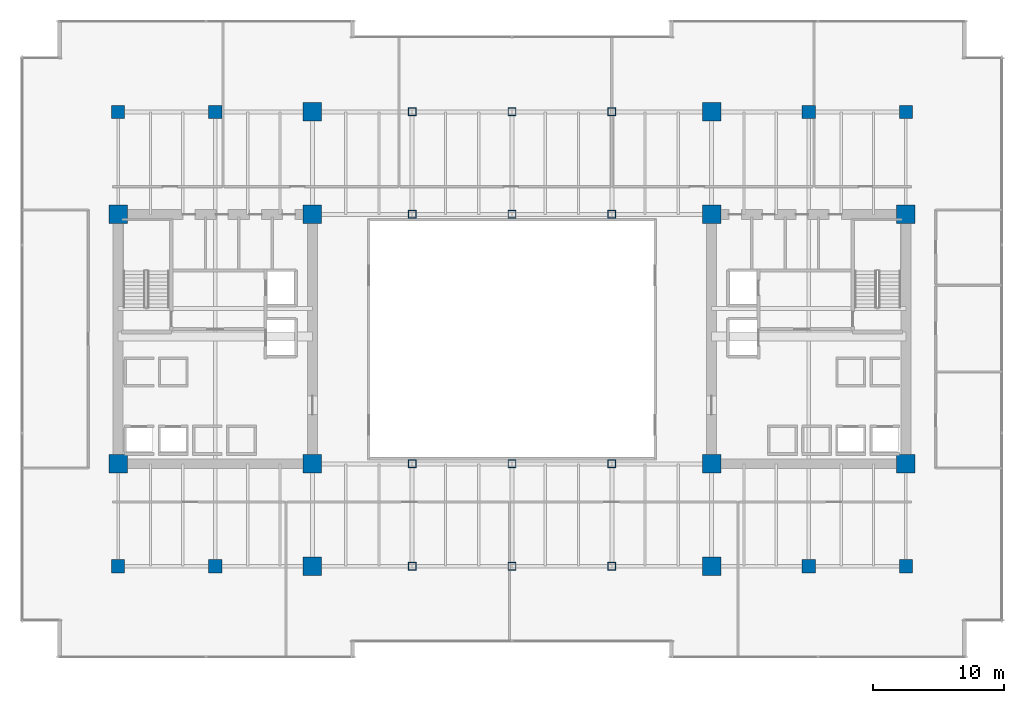
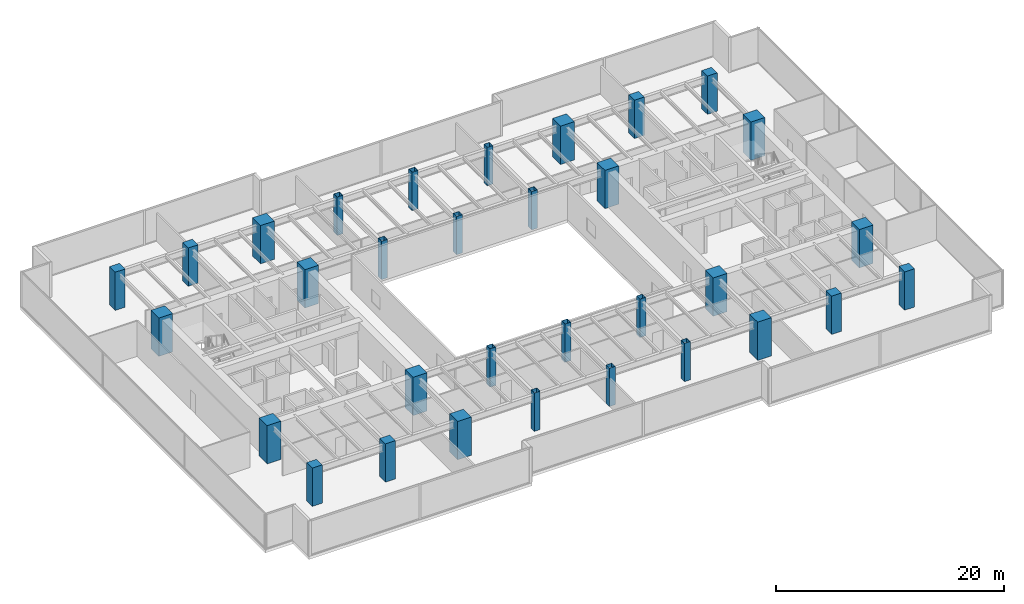
# One storey, part 1 of 35: 32 columns.
"""IFC4 building model written with IfcOpenShell, lengths in metres."""

from ifc_helpers import new_model, si_unit, direction, frame, origin, origin_2d, place, context, subcontext, project, spatial, rectangle, hollow_rectangle, extrude, source, transform, mapped, material, material_profile, profile_set, type_object, type_shapes, element, save


model = new_model("IFC4")

# Units and contexts
model_context = context("Model", 3, precision=1e-05, world=origin(), true_north=direction((0.0, 1.0)))
body_context = subcontext(model_context, "Body", "Model", "MODEL_VIEW")
ifc_project = project(units=[si_unit("LENGTHUNIT", "METRE"), si_unit("AREAUNIT", "SQUARE_METRE"), si_unit("VOLUMEUNIT", "CUBIC_METRE"), si_unit("PLANEANGLEUNIT", "RADIAN"), si_unit("MASSUNIT", "GRAM", prefix="KILO")], contexts=[model_context])

# Site, building, storey
site_placement = place(None, origin())
site = spatial("IfcSite", under=ifc_project, at=site_placement, CompositionType="ELEMENT")
building_placement = place(site_placement, origin())
building = spatial("IfcBuilding", under=site, at=building_placement, Name="Haelvirn Gate Laboratories", CompositionType="ELEMENT")
storey_placement = place(building_placement, frame((0.0, 0.0, 66.199951171875)))
storey = spatial("IfcBuildingStorey", under=building, at=storey_placement, Name="L16", CompositionType="ELEMENT", Elevation=66.199951171875)

# Columns
ifc_material_1 = material(Name="Concrete C60/75", Category="concrete")
ifc_material_profile_1 = material_profile(ifc_material_1, rectangle(XDim=1.0, YDim=1.0, at=origin_2d()), Name="RC-1000x1000")
ifc_profile_set_1 = profile_set([ifc_material_profile_1], Name="Concrete C60/75")
column_type_1 = type_object("IfcColumnType", Name="COL-RC-1000", PredefinedType="COLUMN", material=ifc_profile_set_1)
shared_shape_1 = source(origin(), body_context, "Body", "SweptSolid", [
    extrude(rectangle(XDim=1.0, YDim=1.0, at=origin_2d()), origin(), (0.0, 0.0, 1.0), 4.10009765625),
])
type_shapes(column_type_1, [shared_shape_1])
for number, where, z_axis, x_axis, name in (
    (1, (14.800048828125, 7.0, 0.0), (0.0, 0.0, 1.0), (1.0, 0.0, 0.0), "L16 Column 3B"),
    (2, (14.800048828125, 41.60009765625, 0.0), (0.0, 0.0, 1.0), (1.0, 0.0, 0.0), "L16 Column 3G"),
    (3, (60.0, 7.0, 0.0), (0.0, 0.0, 1.0), (1.0, 0.0, 0.0), "L16 Column 9B"),
    (4, (60.0, 41.60009765625, 0.0), (0.0, 0.0, 1.0), (1.0, 0.0, 0.0), "L16 Column 9G"),
    (5, (7.39990234375, 7.0, 0.0), (0.0, 0.0, 1.0), (1.0, 0.0, 0.0), "L16 Column 2B"),
    (6, (7.39990234375, 41.60009765625, 0.0), (0.0, 0.0, 1.0), (1.0, 0.0, 0.0), "L16 Column 2G"),
    (7, (67.39990234375, 7.0, 0.0), (0.0, 0.0, 1.0), (1.0, 0.0, 0.0), "L16 Column 10B"),
    (8, (67.39990234375, 41.60009765625, 0.0), (0.0, 0.0, 1.0), (1.0, 0.0, 0.0), "L16 Column 10G"),
):
    element("IfcColumn", number, at=place(storey_placement, frame(where, z_axis=z_axis, x_axis=x_axis)), inside=storey, type_object=column_type_1, Name=name, PredefinedType="COLUMN", context=body_context, shape_type="MappedRepresentation", body=[
        mapped(shared_shape_1, transform((0.0, 0.0, 0.0), scale=1.0)),
    ])
ifc_material_2 = material(Name="Concrete C70/85", Category="concrete")
ifc_material_profile_2 = material_profile(ifc_material_2, rectangle(XDim=1.39990234375, YDim=1.39990234375, at=origin_2d()), Name="SRC-1400x1400")
ifc_profile_set_2 = profile_set([ifc_material_profile_2], Name="Concrete C70/85")
column_type_2 = type_object("IfcColumnType", Name="COL-SRC-1400", PredefinedType="COLUMN", material=ifc_profile_set_2)
shared_shape_2 = source(origin(), body_context, "Body", "SweptSolid", [
    extrude(rectangle(XDim=1.39990234375, YDim=1.39990234375, at=origin_2d()), origin(), (0.0, 0.0, 1.0), 4.10009765625),
])
type_shapes(column_type_2, [shared_shape_2])
for number, where, z_axis, x_axis, name in (
    (9, (22.199951171875, 7.0, 0.0), (0.0, 0.0, 1.0), (1.0, 0.0, 0.0), "L16 Column 4B"),
    (10, (7.39990234375, 14.800048828125, 0.0), (0.0, 0.0, 1.0), (1.0, 0.0, 0.0), "L16 Column 2C"),
    (11, (22.199951171875, 14.800048828125, 0.0), (0.0, 0.0, 1.0), (1.0, 0.0, 0.0), "L16 Column 4C"),
    (12, (7.39990234375, 33.800048828125, 0.0), (0.0, 0.0, 1.0), (1.0, 0.0, 0.0), "L16 Column 2F"),
    (13, (22.199951171875, 33.800048828125, 0.0), (0.0, 0.0, 1.0), (1.0, 0.0, 0.0), "L16 Column 4F"),
    (14, (22.199951171875, 41.60009765625, 0.0), (0.0, 0.0, 1.0), (1.0, 0.0, 0.0), "L16 Column 4G"),
    (15, (52.60009765625, 7.0, 0.0), (0.0, 0.0, 1.0), (1.0, 0.0, 0.0), "L16 Column 8B"),
    (16, (52.60009765625, 14.800048828125, 0.0), (0.0, 0.0, 1.0), (1.0, 0.0, 0.0), "L16 Column 8C"),
    (17, (67.39990234375, 14.800048828125, 0.0), (0.0, 0.0, 1.0), (1.0, 0.0, 0.0), "L16 Column 10C"),
    (18, (52.60009765625, 33.800048828125, 0.0), (0.0, 0.0, 1.0), (1.0, 0.0, 0.0), "L16 Column 8F"),
    (19, (67.39990234375, 33.800048828125, 0.0), (0.0, 0.0, 1.0), (1.0, 0.0, 0.0), "L16 Column 10F"),
    (20, (52.60009765625, 41.60009765625, 0.0), (0.0, 0.0, 1.0), (1.0, 0.0, 0.0), "L16 Column 8G"),
):
    element("IfcColumn", number, at=place(storey_placement, frame(where, z_axis=z_axis, x_axis=x_axis)), inside=storey, type_object=column_type_2, Name=name, PredefinedType="COLUMN", context=body_context, shape_type="MappedRepresentation", body=[
        mapped(shared_shape_2, transform((0.0, 0.0, 0.0), scale=1.0)),
    ])
ifc_material_3 = material(Name="Steel SM420", Category="steel")
ifc_material_profile_3 = material_profile(ifc_material_3, hollow_rectangle(XDim=0.60009765625, YDim=0.60009765625, WallThickness=0.028076171875, at=origin_2d()), Name="BOX-600x600x28")
ifc_profile_set_3 = profile_set([ifc_material_profile_3], Name="Steel SM420")
column_type_3 = type_object("IfcColumnType", Name="COL-BOX-600", PredefinedType="COLUMN", material=ifc_profile_set_3)
shared_shape_3 = source(origin(), body_context, "Body", "SweptSolid", [
    extrude(hollow_rectangle(XDim=0.60009765625, YDim=0.60009765625, WallThickness=0.028076171875, at=origin_2d()), origin(), (0.0, 0.0, 1.0), 4.10009765625),
])
type_shapes(column_type_3, [shared_shape_3])
for number, where, z_axis, x_axis, name in (
    (21, (29.800048828125, 7.0, 0.0), (0.0, 0.0, 1.0), (1.0, 0.0, 0.0), "L16 Column 5B"),
    (22, (29.800048828125, 14.800048828125, 0.0), (0.0, 0.0, 1.0), (1.0, 0.0, 0.0), "L16 Column 5C"),
    (23, (29.800048828125, 33.800048828125, 0.0), (0.0, 0.0, 1.0), (1.0, 0.0, 0.0), "L16 Column 5F"),
    (24, (29.800048828125, 41.60009765625, 0.0), (0.0, 0.0, 1.0), (1.0, 0.0, 0.0), "L16 Column 5G"),
    (25, (37.39990234375, 7.0, 0.0), (0.0, 0.0, 1.0), (1.0, 0.0, 0.0), "L16 Column 6B"),
    (26, (37.39990234375, 14.800048828125, 0.0), (0.0, 0.0, 1.0), (1.0, 0.0, 0.0), "L16 Column 6C"),
    (27, (37.39990234375, 33.800048828125, 0.0), (0.0, 0.0, 1.0), (1.0, 0.0, 0.0), "L16 Column 6F"),
    (28, (37.39990234375, 41.60009765625, 0.0), (0.0, 0.0, 1.0), (1.0, 0.0, 0.0), "L16 Column 6G"),
    (29, (45.0, 7.0, 0.0), (0.0, 0.0, 1.0), (1.0, 0.0, 0.0), "L16 Column 7B"),
    (30, (45.0, 14.800048828125, 0.0), (0.0, 0.0, 1.0), (1.0, 0.0, 0.0), "L16 Column 7C"),
    (31, (45.0, 33.800048828125, 0.0), (0.0, 0.0, 1.0), (1.0, 0.0, 0.0), "L16 Column 7F"),
    (32, (45.0, 41.60009765625, 0.0), (0.0, 0.0, 1.0), (1.0, 0.0, 0.0), "L16 Column 7G"),
):
    element("IfcColumn", number, at=place(storey_placement, frame(where, z_axis=z_axis, x_axis=x_axis)), inside=storey, type_object=column_type_3, Name=name, PredefinedType="COLUMN", context=body_context, shape_type="MappedRepresentation", body=[
        mapped(shared_shape_3, transform((0.0, 0.0, 0.0), scale=1.0)),
    ])

save(model, "model.ifc")
